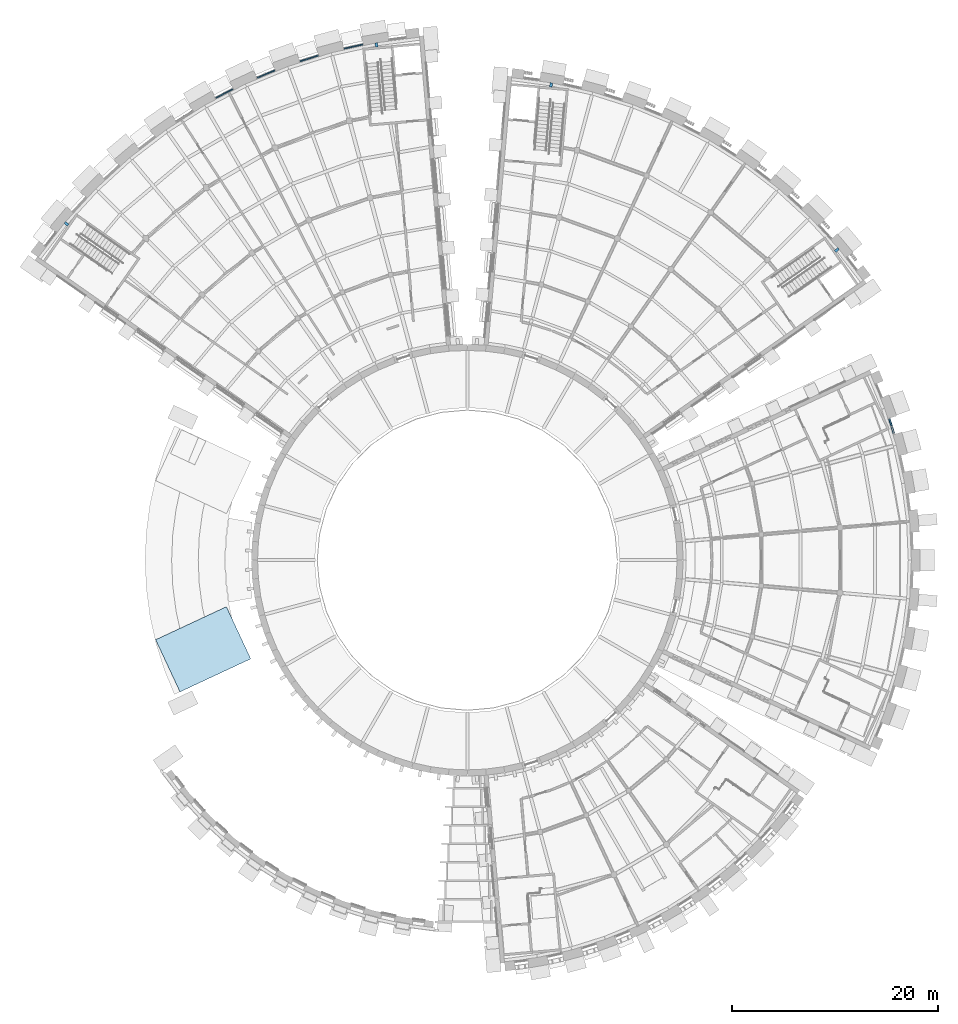
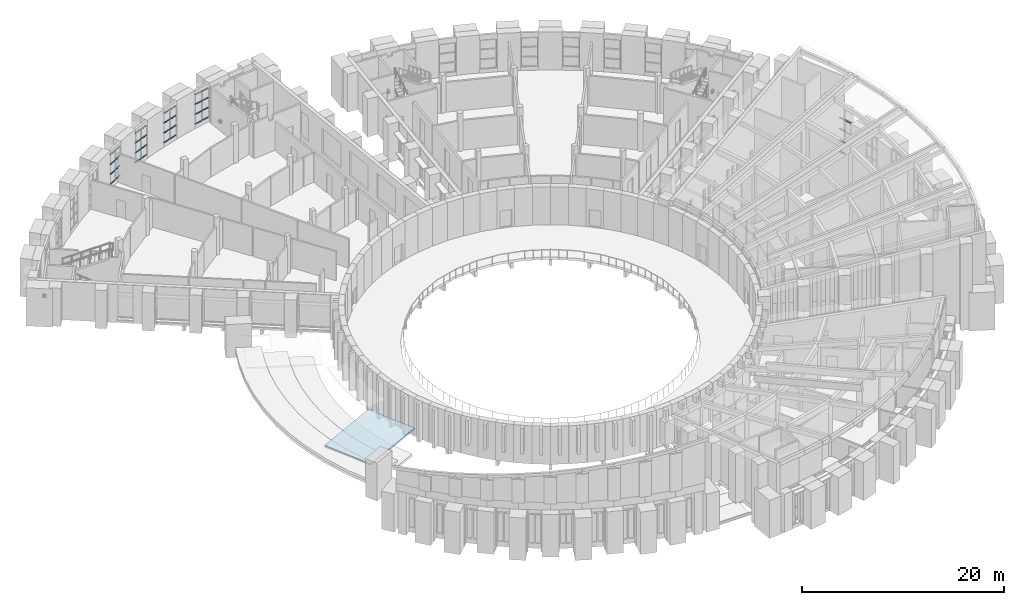
# One storey, part 17 of 50: 37 members, 4 beams, 1 slab, 5 elements without a shape of their own.
"""IFC4 building model written with IfcOpenShell, lengths in metres."""

from ifc_helpers import new_model, si_unit, direction, frame, origin, origin_2d, place, context, subcontext, project, spatial, polyline, rectangle, outline, extrude, material, layer, layer_set, material_profile, profile_set, type_object, element, aggregate, save


model = new_model("IFC4")

# Units and contexts
model_context = context("Model", 3, precision=1e-05, world=origin(), true_north=direction((0.0, 1.0)))
body_context = subcontext(model_context, "Body", "Model", "MODEL_VIEW")
ifc_project = project(units=[si_unit("LENGTHUNIT", "METRE"), si_unit("AREAUNIT", "SQUARE_METRE"), si_unit("VOLUMEUNIT", "CUBIC_METRE"), si_unit("PLANEANGLEUNIT", "RADIAN"), si_unit("MASSUNIT", "GRAM", prefix="KILO")], contexts=[model_context])

# Site, building, storey
site_placement = place(None, origin())
site = spatial("IfcSite", under=ifc_project, at=site_placement, CompositionType="ELEMENT")
building_placement = place(site_placement, origin())
building = spatial("IfcBuilding", under=site, at=building_placement, Name="Volute Hill Aquarium", CompositionType="ELEMENT")
storey_placement = place(building_placement, frame((0.0, 0.0, 9.199951171875)))
storey = spatial("IfcBuildingStorey", under=building, at=storey_placement, Name="L03", CompositionType="ELEMENT", Elevation=9.199951171875)

# Curtain wall, members
ifc_material_1 = material(Name="Aluminium", Category="aluminium")
ifc_layer_1 = layer(ifc_material_1, 0.25)
ifc_layer_set_1 = layer_set([ifc_layer_1], Name="Curtain wall niche S4 module 819")
curtain_wall_type_1 = type_object("IfcCurtainWallType", Name="Curtain wall niche S4 module 819", PredefinedType="NOTDEFINED", material=ifc_layer_set_1)
curtain_wall_1_placement = place(storey_placement, origin())
curtain_wall_1 = element("IfcCurtainWall", 1, at=curtain_wall_1_placement, inside=storey, type_object=curtain_wall_type_1, Name="Curtain wall CW S4 L03 9", PredefinedType="NOTDEFINED")
ifc_material_2 = material(Name="Aluminium", Category="aluminium")
ifc_material_profile_1 = material_profile(ifc_material_2, rectangle(XDim=0.14990234375, YDim=0.06005859375, at=origin_2d()), Name="Curtain wall transom S4 60x150")
ifc_profile_set_1 = profile_set([ifc_material_profile_1], Name="Aluminium")
member_type_1 = type_object("IfcMemberType", Name="Curtain wall transom S4 60x150", PredefinedType="USERDEFINED", material=ifc_profile_set_1)
member_1_placement = place(storey_placement, frame((41.50830078125, 12.2919921875, 4.570068359375), z_axis=(-0.300506003221, 0.953779923267, 0.0), x_axis=(-0.953779923267, -0.300506003221, 0.0)))
member_1 = element("IfcMember", 2, at=member_1_placement, type_object=member_type_1, Name="CW transom 1.4", ObjectType="TRANSOM", PredefinedType="USERDEFINED", context=body_context, shape_type="SweptSolid", body=[
    extrude(rectangle(XDim=0.14990234375, YDim=0.06005859375, at=origin_2d()), origin(), (0.0, 0.0, 1.0), 0.728759765625),
])
member_2_placement = place(storey_placement, frame((41.271240234375, 13.044189453125, 0.47998046875), z_axis=(-0.300810716557, 0.953683864184, 0.0), x_axis=(-0.953683864184, -0.300810716557, 0.0)))
member_2 = element("IfcMember", 3, at=member_2_placement, type_object=member_type_1, Name="CW transom 2.1", ObjectType="TRANSOM", PredefinedType="USERDEFINED", context=body_context, shape_type="SweptSolid", body=[
    extrude(rectangle(XDim=0.14990234375, YDim=0.06005859375, at=origin_2d()), origin(), (0.0, 0.0, 1.0), 0.728759765625),
])
member_3_placement = place(storey_placement, frame((41.271240234375, 13.044189453125, 1.83349609375), z_axis=(-0.300810716557, 0.953683864184, 0.0), x_axis=(-0.953683864184, -0.300810716557, 0.0)))
member_3 = element("IfcMember", 4, at=member_3_placement, type_object=member_type_1, Name="CW transom 2.2", ObjectType="TRANSOM", PredefinedType="USERDEFINED", context=body_context, shape_type="SweptSolid", body=[
    extrude(rectangle(XDim=0.14990234375, YDim=0.06005859375, at=origin_2d()), origin(), (0.0, 0.0, 1.0), 0.728759765625),
])
member_4_placement = place(storey_placement, frame((41.271240234375, 13.044189453125, 3.216796875), z_axis=(-0.300810716557, 0.953683864184, 0.0), x_axis=(-0.953683864184, -0.300810716557, 0.0)))
member_4 = element("IfcMember", 5, at=member_4_placement, type_object=member_type_1, Name="CW transom 2.3", ObjectType="TRANSOM", PredefinedType="USERDEFINED", context=body_context, shape_type="SweptSolid", body=[
    extrude(rectangle(XDim=0.14990234375, YDim=0.06005859375, at=origin_2d()), origin(), (0.0, 0.0, 1.0), 0.728759765625),
])
member_5_placement = place(storey_placement, frame((41.271240234375, 13.044189453125, 4.570068359375), z_axis=(-0.300810716557, 0.953683864184, 0.0), x_axis=(-0.953683864184, -0.300810716557, 0.0)))
member_5 = element("IfcMember", 6, at=member_5_placement, type_object=member_type_1, Name="CW transom 2.4", ObjectType="TRANSOM", PredefinedType="USERDEFINED", context=body_context, shape_type="SweptSolid", body=[
    extrude(rectangle(XDim=0.14990234375, YDim=0.06005859375, at=origin_2d()), origin(), (0.0, 0.0, 1.0), 0.728759765625),
])
aggregate(curtain_wall_1, [member_1, member_2, member_3, member_4, member_5])

ifc_material_3 = material(Name="Aluminium", Category="aluminium")
ifc_layer_2 = layer(ifc_material_3, 0.25)
ifc_layer_set_2 = layer_set([ifc_layer_2], Name="Curtain wall niche S6 module 967")
curtain_wall_type_2 = type_object("IfcCurtainWallType", Name="Curtain wall niche S6 module 967", PredefinedType="NOTDEFINED", material=ifc_layer_set_2)
curtain_wall_2_placement = place(storey_placement, origin())
curtain_wall_2 = element("IfcCurtainWall", 7, at=curtain_wall_2_placement, inside=storey, type_object=curtain_wall_type_2, Name="Curtain wall CW S6 L03 2", PredefinedType="NOTDEFINED")
ifc_material_4 = material(Name="Aluminium", Category="aluminium")
ifc_material_profile_2 = material_profile(ifc_material_4, rectangle(XDim=0.1201171875, YDim=0.050048828125, at=origin_2d()), Name="Curtain wall transom S6 50x120")
ifc_profile_set_2 = profile_set([ifc_material_profile_2], Name="Aluminium")
member_type_2 = type_object("IfcMemberType", Name="Curtain wall transom S6 50x120", PredefinedType="USERDEFINED", material=ifc_profile_set_2)
member_6_placement = place(storey_placement, frame((-10.181396484375, 50.161376953125, 0.47509765625), z_axis=(-0.976283562969, -0.216495738242, 0.0), x_axis=(0.216495738242, -0.976283562969, 0.0)))
member_6 = element("IfcMember", 8, at=member_6_placement, type_object=member_type_2, Name="CW transom 1.1", ObjectType="TRANSOM", PredefinedType="USERDEFINED", context=body_context, shape_type="SweptSolid", body=[
    extrude(rectangle(XDim=0.1201171875, YDim=0.050048828125, at=origin_2d()), origin(), (0.0, 0.0, 1.0), 0.89208984375),
])
member_7_placement = place(storey_placement, frame((-10.181396484375, 50.161376953125, 1.650146484375), z_axis=(-0.976283562969, -0.216495738242, 0.0), x_axis=(0.216495738242, -0.976283562969, 0.0)))
member_7 = element("IfcMember", 9, at=member_7_placement, type_object=member_type_2, Name="CW transom 1.2", ObjectType="TRANSOM", PredefinedType="USERDEFINED", context=body_context, shape_type="SweptSolid", body=[
    extrude(rectangle(XDim=0.1201171875, YDim=0.050048828125, at=origin_2d()), origin(), (0.0, 0.0, 1.0), 0.89208984375),
])
member_8_placement = place(storey_placement, frame((-10.181396484375, 50.161376953125, 2.85009765625), z_axis=(-0.976283562969, -0.216495738242, 0.0), x_axis=(0.216495738242, -0.976283562969, 0.0)))
member_8 = element("IfcMember", 10, at=member_8_placement, type_object=member_type_2, Name="CW transom 1.3", ObjectType="TRANSOM", PredefinedType="USERDEFINED", context=body_context, shape_type="SweptSolid", body=[
    extrude(rectangle(XDim=0.1201171875, YDim=0.050048828125, at=origin_2d()), origin(), (0.0, 0.0, 1.0), 0.89208984375),
])
member_9_placement = place(storey_placement, frame((-10.181396484375, 50.161376953125, 4.025146484375), z_axis=(-0.976283562969, -0.216495738242, 0.0), x_axis=(0.216495738242, -0.976283562969, 0.0)))
member_9 = element("IfcMember", 11, at=member_9_placement, type_object=member_type_2, Name="CW transom 1.4", ObjectType="TRANSOM", PredefinedType="USERDEFINED", context=body_context, shape_type="SweptSolid", body=[
    extrude(rectangle(XDim=0.1201171875, YDim=0.050048828125, at=origin_2d()), origin(), (0.0, 0.0, 1.0), 0.89208984375),
])
member_10_placement = place(storey_placement, frame((-11.10107421875, 49.95751953125, 0.47509765625), z_axis=(-0.976270729453, -0.216553602635, 0.0), x_axis=(0.216553602635, -0.976270729453, 0.0)))
member_10 = element("IfcMember", 12, at=member_10_placement, type_object=member_type_2, Name="CW transom 2.1", ObjectType="TRANSOM", PredefinedType="USERDEFINED", context=body_context, shape_type="SweptSolid", body=[
    extrude(rectangle(XDim=0.1201171875, YDim=0.050048828125, at=origin_2d()), origin(), (0.0, 0.0, 1.0), 0.891845703125),
])
member_11_placement = place(storey_placement, frame((-11.10107421875, 49.95751953125, 1.650146484375), z_axis=(-0.976270729453, -0.216553602635, 0.0), x_axis=(0.216553602635, -0.976270729453, 0.0)))
member_11 = element("IfcMember", 13, at=member_11_placement, type_object=member_type_2, Name="CW transom 2.2", ObjectType="TRANSOM", PredefinedType="USERDEFINED", context=body_context, shape_type="SweptSolid", body=[
    extrude(rectangle(XDim=0.1201171875, YDim=0.050048828125, at=origin_2d()), origin(), (0.0, 0.0, 1.0), 0.891845703125),
])
member_12_placement = place(storey_placement, frame((-11.10107421875, 49.95751953125, 2.85009765625), z_axis=(-0.976270729453, -0.216553602635, 0.0), x_axis=(0.216553602635, -0.976270729453, 0.0)))
member_12 = element("IfcMember", 14, at=member_12_placement, type_object=member_type_2, Name="CW transom 2.3", ObjectType="TRANSOM", PredefinedType="USERDEFINED", context=body_context, shape_type="SweptSolid", body=[
    extrude(rectangle(XDim=0.1201171875, YDim=0.050048828125, at=origin_2d()), origin(), (0.0, 0.0, 1.0), 0.891845703125),
])
member_13_placement = place(storey_placement, frame((-11.10107421875, 49.95751953125, 4.025146484375), z_axis=(-0.976270729453, -0.216553602635, 0.0), x_axis=(0.216553602635, -0.976270729453, 0.0)))
member_13 = element("IfcMember", 15, at=member_13_placement, type_object=member_type_2, Name="CW transom 2.4", ObjectType="TRANSOM", PredefinedType="USERDEFINED", context=body_context, shape_type="SweptSolid", body=[
    extrude(rectangle(XDim=0.1201171875, YDim=0.050048828125, at=origin_2d()), origin(), (0.0, 0.0, 1.0), 0.891845703125),
])
aggregate(curtain_wall_2, [member_6, member_7, member_8, member_9, member_10, member_11, member_12, member_13])

curtain_wall_3_placement = place(storey_placement, origin())
curtain_wall_3 = element("IfcCurtainWall", 16, at=curtain_wall_3_placement, inside=storey, type_object=curtain_wall_type_2, Name="Curtain wall CW S6 L03 3", PredefinedType="NOTDEFINED")
member_14_placement = place(storey_placement, frame((-14.514404296875, 49.0830078125, 0.47509765625), z_axis=(-0.953756274166, -0.30058105311, 0.0), x_axis=(0.30058105311, -0.953756274166, 0.0)))
member_14 = element("IfcMember", 17, at=member_14_placement, type_object=member_type_2, Name="CW transom 1.1", ObjectType="TRANSOM", PredefinedType="USERDEFINED", context=body_context, shape_type="SweptSolid", body=[
    extrude(rectangle(XDim=0.1201171875, YDim=0.050048828125, at=origin_2d()), origin(), (0.0, 0.0, 1.0), 0.891845703125),
])
member_15_placement = place(storey_placement, frame((-14.514404296875, 49.0830078125, 1.650146484375), z_axis=(-0.953756274166, -0.30058105311, 0.0), x_axis=(0.30058105311, -0.953756274166, 0.0)))
member_15 = element("IfcMember", 18, at=member_15_placement, type_object=member_type_2, Name="CW transom 1.2", ObjectType="TRANSOM", PredefinedType="USERDEFINED", context=body_context, shape_type="SweptSolid", body=[
    extrude(rectangle(XDim=0.1201171875, YDim=0.050048828125, at=origin_2d()), origin(), (0.0, 0.0, 1.0), 0.891845703125),
])
member_16_placement = place(storey_placement, frame((-14.514404296875, 49.0830078125, 2.85009765625), z_axis=(-0.953756274166, -0.30058105311, 0.0), x_axis=(0.30058105311, -0.953756274166, 0.0)))
member_16 = element("IfcMember", 19, at=member_16_placement, type_object=member_type_2, Name="CW transom 1.3", ObjectType="TRANSOM", PredefinedType="USERDEFINED", context=body_context, shape_type="SweptSolid", body=[
    extrude(rectangle(XDim=0.1201171875, YDim=0.050048828125, at=origin_2d()), origin(), (0.0, 0.0, 1.0), 0.891845703125),
])
member_17_placement = place(storey_placement, frame((-14.514404296875, 49.0830078125, 4.025146484375), z_axis=(-0.953756274166, -0.30058105311, 0.0), x_axis=(0.30058105311, -0.953756274166, 0.0)))
member_17 = element("IfcMember", 20, at=member_17_placement, type_object=member_type_2, Name="CW transom 1.4", ObjectType="TRANSOM", PredefinedType="USERDEFINED", context=body_context, shape_type="SweptSolid", body=[
    extrude(rectangle(XDim=0.1201171875, YDim=0.050048828125, at=origin_2d()), origin(), (0.0, 0.0, 1.0), 0.891845703125),
])
member_18_placement = place(storey_placement, frame((-15.412841796875, 48.7998046875, 0.47509765625), z_axis=(-0.953756274166, -0.30058105311, 0.0), x_axis=(0.30058105311, -0.953756274166, 0.0)))
member_18 = element("IfcMember", 21, at=member_18_placement, type_object=member_type_2, Name="CW transom 2.1", ObjectType="TRANSOM", PredefinedType="USERDEFINED", context=body_context, shape_type="SweptSolid", body=[
    extrude(rectangle(XDim=0.1201171875, YDim=0.050048828125, at=origin_2d()), origin(), (0.0, 0.0, 1.0), 0.891845703125),
])
member_19_placement = place(storey_placement, frame((-15.412841796875, 48.7998046875, 1.650146484375), z_axis=(-0.953756274166, -0.30058105311, 0.0), x_axis=(0.30058105311, -0.953756274166, 0.0)))
member_19 = element("IfcMember", 22, at=member_19_placement, type_object=member_type_2, Name="CW transom 2.2", ObjectType="TRANSOM", PredefinedType="USERDEFINED", context=body_context, shape_type="SweptSolid", body=[
    extrude(rectangle(XDim=0.1201171875, YDim=0.050048828125, at=origin_2d()), origin(), (0.0, 0.0, 1.0), 0.891845703125),
])
member_20_placement = place(storey_placement, frame((-15.412841796875, 48.7998046875, 2.85009765625), z_axis=(-0.953756274166, -0.30058105311, 0.0), x_axis=(0.30058105311, -0.953756274166, 0.0)))
member_20 = element("IfcMember", 23, at=member_20_placement, type_object=member_type_2, Name="CW transom 2.3", ObjectType="TRANSOM", PredefinedType="USERDEFINED", context=body_context, shape_type="SweptSolid", body=[
    extrude(rectangle(XDim=0.1201171875, YDim=0.050048828125, at=origin_2d()), origin(), (0.0, 0.0, 1.0), 0.891845703125),
])
member_21_placement = place(storey_placement, frame((-15.412841796875, 48.7998046875, 4.025146484375), z_axis=(-0.953756274166, -0.30058105311, 0.0), x_axis=(0.30058105311, -0.953756274166, 0.0)))
member_21 = element("IfcMember", 24, at=member_21_placement, type_object=member_type_2, Name="CW transom 2.4", ObjectType="TRANSOM", PredefinedType="USERDEFINED", context=body_context, shape_type="SweptSolid", body=[
    extrude(rectangle(XDim=0.1201171875, YDim=0.050048828125, at=origin_2d()), origin(), (0.0, 0.0, 1.0), 0.891845703125),
])
aggregate(curtain_wall_3, [member_14, member_15, member_16, member_17, member_18, member_19, member_20, member_21])

curtain_wall_4_placement = place(storey_placement, origin())
curtain_wall_4 = element("IfcCurtainWall", 25, at=curtain_wall_4_placement, inside=storey, type_object=curtain_wall_type_2, Name="Curtain wall CW S6 L03 4", PredefinedType="NOTDEFINED")
member_22_placement = place(storey_placement, frame((-18.737060546875, 47.63134765625, 0.47509765625), z_axis=(-0.923876703835, -0.382690261322, 0.0), x_axis=(0.382690261322, -0.923876703835, 0.0)))
member_22 = element("IfcMember", 26, at=member_22_placement, type_object=member_type_2, Name="CW transom 1.1", ObjectType="TRANSOM", PredefinedType="USERDEFINED", context=body_context, shape_type="SweptSolid", body=[
    extrude(rectangle(XDim=0.1201171875, YDim=0.050048828125, at=origin_2d()), origin(), (0.0, 0.0, 1.0), 0.891845703125),
])
member_23_placement = place(storey_placement, frame((-18.737060546875, 47.63134765625, 1.650146484375), z_axis=(-0.923876703835, -0.382690261322, 0.0), x_axis=(0.382690261322, -0.923876703835, 0.0)))
member_23 = element("IfcMember", 27, at=member_23_placement, type_object=member_type_2, Name="CW transom 1.2", ObjectType="TRANSOM", PredefinedType="USERDEFINED", context=body_context, shape_type="SweptSolid", body=[
    extrude(rectangle(XDim=0.1201171875, YDim=0.050048828125, at=origin_2d()), origin(), (0.0, 0.0, 1.0), 0.891845703125),
])
member_24_placement = place(storey_placement, frame((-18.737060546875, 47.63134765625, 2.85009765625), z_axis=(-0.923876703835, -0.382690261322, 0.0), x_axis=(0.382690261322, -0.923876703835, 0.0)))
member_24 = element("IfcMember", 28, at=member_24_placement, type_object=member_type_2, Name="CW transom 1.3", ObjectType="TRANSOM", PredefinedType="USERDEFINED", context=body_context, shape_type="SweptSolid", body=[
    extrude(rectangle(XDim=0.1201171875, YDim=0.050048828125, at=origin_2d()), origin(), (0.0, 0.0, 1.0), 0.891845703125),
])
member_25_placement = place(storey_placement, frame((-18.737060546875, 47.63134765625, 4.025146484375), z_axis=(-0.923876703835, -0.382690261322, 0.0), x_axis=(0.382690261322, -0.923876703835, 0.0)))
member_25 = element("IfcMember", 29, at=member_25_placement, type_object=member_type_2, Name="CW transom 1.4", ObjectType="TRANSOM", PredefinedType="USERDEFINED", context=body_context, shape_type="SweptSolid", body=[
    extrude(rectangle(XDim=0.1201171875, YDim=0.050048828125, at=origin_2d()), origin(), (0.0, 0.0, 1.0), 0.891845703125),
])
member_26_placement = place(storey_placement, frame((-19.607177734375, 47.270751953125, 0.47509765625), z_axis=(-0.92391677854, -0.382593500118, 0.0), x_axis=(0.382593500118, -0.92391677854, 0.0)))
member_26 = element("IfcMember", 30, at=member_26_placement, type_object=member_type_2, Name="CW transom 2.1", ObjectType="TRANSOM", PredefinedType="USERDEFINED", context=body_context, shape_type="SweptSolid", body=[
    extrude(rectangle(XDim=0.1201171875, YDim=0.050048828125, at=origin_2d()), origin(), (0.0, 0.0, 1.0), 0.89208984375),
])
member_27_placement = place(storey_placement, frame((-19.607177734375, 47.270751953125, 1.650146484375), z_axis=(-0.92391677854, -0.382593500118, 0.0), x_axis=(0.382593500118, -0.92391677854, 0.0)))
member_27 = element("IfcMember", 31, at=member_27_placement, type_object=member_type_2, Name="CW transom 2.2", ObjectType="TRANSOM", PredefinedType="USERDEFINED", context=body_context, shape_type="SweptSolid", body=[
    extrude(rectangle(XDim=0.1201171875, YDim=0.050048828125, at=origin_2d()), origin(), (0.0, 0.0, 1.0), 0.89208984375),
])
member_28_placement = place(storey_placement, frame((-19.607177734375, 47.270751953125, 2.85009765625), z_axis=(-0.92391677854, -0.382593500118, 0.0), x_axis=(0.382593500118, -0.92391677854, 0.0)))
member_28 = element("IfcMember", 32, at=member_28_placement, type_object=member_type_2, Name="CW transom 2.3", ObjectType="TRANSOM", PredefinedType="USERDEFINED", context=body_context, shape_type="SweptSolid", body=[
    extrude(rectangle(XDim=0.1201171875, YDim=0.050048828125, at=origin_2d()), origin(), (0.0, 0.0, 1.0), 0.89208984375),
])
member_29_placement = place(storey_placement, frame((-19.607177734375, 47.270751953125, 4.025146484375), z_axis=(-0.92391677854, -0.382593500118, 0.0), x_axis=(0.382593500118, -0.92391677854, 0.0)))
member_29 = element("IfcMember", 33, at=member_29_placement, type_object=member_type_2, Name="CW transom 2.4", ObjectType="TRANSOM", PredefinedType="USERDEFINED", context=body_context, shape_type="SweptSolid", body=[
    extrude(rectangle(XDim=0.1201171875, YDim=0.050048828125, at=origin_2d()), origin(), (0.0, 0.0, 1.0), 0.89208984375),
])
aggregate(curtain_wall_4, [member_22, member_23, member_24, member_25, member_26, member_27, member_28, member_29])

curtain_wall_5_placement = place(storey_placement, origin())
curtain_wall_5 = element("IfcCurtainWall", 34, at=curtain_wall_5_placement, inside=storey, type_object=curtain_wall_type_2, Name="Curtain wall CW S6 L03 5", PredefinedType="NOTDEFINED")
member_30_placement = place(storey_placement, frame((-22.817138671875, 45.81689453125, 0.47509765625), z_axis=(-0.887082281901, -0.461611335582, 0.0), x_axis=(0.461611335582, -0.887082281901, 0.0)))
member_30 = element("IfcMember", 35, at=member_30_placement, type_object=member_type_2, Name="CW transom 1.1", ObjectType="TRANSOM", PredefinedType="USERDEFINED", context=body_context, shape_type="SweptSolid", body=[
    extrude(rectangle(XDim=0.1201171875, YDim=0.050048828125, at=origin_2d()), origin(), (0.0, 0.0, 1.0), 0.8916015625),
])
member_31_placement = place(storey_placement, frame((-22.817138671875, 45.81689453125, 1.650146484375), z_axis=(-0.887082281901, -0.461611335582, 0.0), x_axis=(0.461611335582, -0.887082281901, 0.0)))
member_31 = element("IfcMember", 36, at=member_31_placement, type_object=member_type_2, Name="CW transom 1.2", ObjectType="TRANSOM", PredefinedType="USERDEFINED", context=body_context, shape_type="SweptSolid", body=[
    extrude(rectangle(XDim=0.1201171875, YDim=0.050048828125, at=origin_2d()), origin(), (0.0, 0.0, 1.0), 0.8916015625),
])
member_32_placement = place(storey_placement, frame((-22.817138671875, 45.81689453125, 2.85009765625), z_axis=(-0.887082281901, -0.461611335582, 0.0), x_axis=(0.461611335582, -0.887082281901, 0.0)))
member_32 = element("IfcMember", 37, at=member_32_placement, type_object=member_type_2, Name="CW transom 1.3", ObjectType="TRANSOM", PredefinedType="USERDEFINED", context=body_context, shape_type="SweptSolid", body=[
    extrude(rectangle(XDim=0.1201171875, YDim=0.050048828125, at=origin_2d()), origin(), (0.0, 0.0, 1.0), 0.8916015625),
])
member_33_placement = place(storey_placement, frame((-22.817138671875, 45.81689453125, 4.025146484375), z_axis=(-0.887082281901, -0.461611335582, 0.0), x_axis=(0.461611335582, -0.887082281901, 0.0)))
member_33 = element("IfcMember", 38, at=member_33_placement, type_object=member_type_2, Name="CW transom 1.4", ObjectType="TRANSOM", PredefinedType="USERDEFINED", context=body_context, shape_type="SweptSolid", body=[
    extrude(rectangle(XDim=0.1201171875, YDim=0.050048828125, at=origin_2d()), origin(), (0.0, 0.0, 1.0), 0.8916015625),
])
member_34_placement = place(storey_placement, frame((-23.652587890625, 45.382080078125, 0.47509765625), z_axis=(-0.886970156065, -0.46182674484, 0.0), x_axis=(0.46182674484, -0.886970156065, 0.0)))
member_34 = element("IfcMember", 39, at=member_34_placement, type_object=member_type_2, Name="CW transom 2.1", ObjectType="TRANSOM", PredefinedType="USERDEFINED", context=body_context, shape_type="SweptSolid", body=[
    extrude(rectangle(XDim=0.1201171875, YDim=0.050048828125, at=origin_2d()), origin(), (0.0, 0.0, 1.0), 0.891845703125),
])
member_35_placement = place(storey_placement, frame((-23.652587890625, 45.382080078125, 1.650146484375), z_axis=(-0.886970156065, -0.46182674484, 0.0), x_axis=(0.46182674484, -0.886970156065, 0.0)))
member_35 = element("IfcMember", 40, at=member_35_placement, type_object=member_type_2, Name="CW transom 2.2", ObjectType="TRANSOM", PredefinedType="USERDEFINED", context=body_context, shape_type="SweptSolid", body=[
    extrude(rectangle(XDim=0.1201171875, YDim=0.050048828125, at=origin_2d()), origin(), (0.0, 0.0, 1.0), 0.891845703125),
])
member_36_placement = place(storey_placement, frame((-23.652587890625, 45.382080078125, 2.85009765625), z_axis=(-0.886970156065, -0.46182674484, 0.0), x_axis=(0.46182674484, -0.886970156065, 0.0)))
member_36 = element("IfcMember", 41, at=member_36_placement, type_object=member_type_2, Name="CW transom 2.3", ObjectType="TRANSOM", PredefinedType="USERDEFINED", context=body_context, shape_type="SweptSolid", body=[
    extrude(rectangle(XDim=0.1201171875, YDim=0.050048828125, at=origin_2d()), origin(), (0.0, 0.0, 1.0), 0.891845703125),
])
member_37_placement = place(storey_placement, frame((-23.652587890625, 45.382080078125, 4.025146484375), z_axis=(-0.886970156065, -0.46182674484, 0.0), x_axis=(0.46182674484, -0.886970156065, 0.0)))
member_37 = element("IfcMember", 42, at=member_37_placement, type_object=member_type_2, Name="CW transom 2.4", ObjectType="TRANSOM", PredefinedType="USERDEFINED", context=body_context, shape_type="SweptSolid", body=[
    extrude(rectangle(XDim=0.1201171875, YDim=0.050048828125, at=origin_2d()), origin(), (0.0, 0.0, 1.0), 0.891845703125),
])
aggregate(curtain_wall_5, [member_30, member_31, member_32, member_33, member_34, member_35, member_36, member_37])

# Beams
ifc_material_5 = material(Name="Concrete C35/45", Category="concrete")
ifc_material_profile_3 = material_profile(ifc_material_5, rectangle(XDim=0.25, YDim=0.35009765625, at=origin_2d()), Name="RC joist 250x350")
ifc_profile_set_3 = profile_set([ifc_material_profile_3], Name="Concrete C35/45")
beam_type = type_object("IfcBeamType", Name="Joist 250x350 C35/45", PredefinedType="BEAM", material=ifc_profile_set_3)
for number, where, z_axis, x_axis, name in (
    (43, (35.795654296875, 30.035888671875, -0.46484375), (0.765750437308, 0.643137829522, 0.0), (-0.643137829522, 0.765750437308, 0.0), "bm/S5/L03/rjst1"),
    (44, (8.1142578125, 46.017822265625, -0.46484375), (0.173488416305, 0.98483590989, 0.0), (-0.98483590989, 0.173488416305, 0.0), "bm/S5/L03/rjst5"),
):
    element("IfcBeam", number, at=place(storey_placement, frame(where, z_axis=z_axis, x_axis=x_axis)), inside=storey, type_object=beam_type, Name=name, PredefinedType="BEAM", context=body_context, shape_type="SweptSolid", body=[
        extrude(rectangle(XDim=0.25, YDim=0.35009765625, at=origin_2d()), origin(), (0.0, 0.0, 1.0), 0.422119140625),
    ])
for number, where, z_axis, x_axis, name in (
    (45, (-8.802734375, 49.922607421875, -0.494873046875), (-0.173238167198, 0.984879960922, 0.0), (-0.984879960922, -0.173238167198, 0.0), "bm/S6/L03/rjst6"),
    (46, (-38.8330078125, 32.584716796875, -0.494873046875), (-0.766153455411, 0.642657671519, 0.0), (-0.642657671519, -0.766153455411, 0.0), "bm/S6/L03/rjst10"),
):
    element("IfcBeam", number, at=place(storey_placement, frame(where, z_axis=z_axis, x_axis=x_axis)), inside=storey, type_object=beam_type, Name=name, PredefinedType="BEAM", context=body_context, shape_type="SweptSolid", body=[
        extrude(rectangle(XDim=0.25, YDim=0.35009765625, at=origin_2d()), origin(), (0.0, 0.0, 1.0), 0.4072265625),
    ])

# Slab
ifc_material_6 = material(Name="Concrete C30/37", Category="concrete")
ifc_layer_3 = layer(ifc_material_6, 0.199951171875)
ifc_layer_set_3 = layer_set([ifc_layer_3], Name="Lift shaft roof 200")
slab_type = type_object("IfcSlabType", Name="Lift shaft roof 200", PredefinedType="ROOF", material=ifc_layer_set_3)
slab_placement = place(storey_placement, frame((0.0, 0.0, 2.719970703125)))
element("IfcSlab", 47, at=slab_placement, inside=storey, type_object=slab_type, Name="cs/S1-B/head", PredefinedType="ROOF", context=body_context, shape_type="SweptSolid", body=[
    extrude(outline(polyline([(-23.43212890625, -4.527099609375), (-30.3203125, -7.739013671875), (-27.95361328125, -12.814208984375), (-21.0654296875, -9.602294921875), (-23.43212890625, -4.527099609375)])), origin(), (0.0, 0.0, 1.0), 0.2001953125),
])

save(model, "model.ifc")
